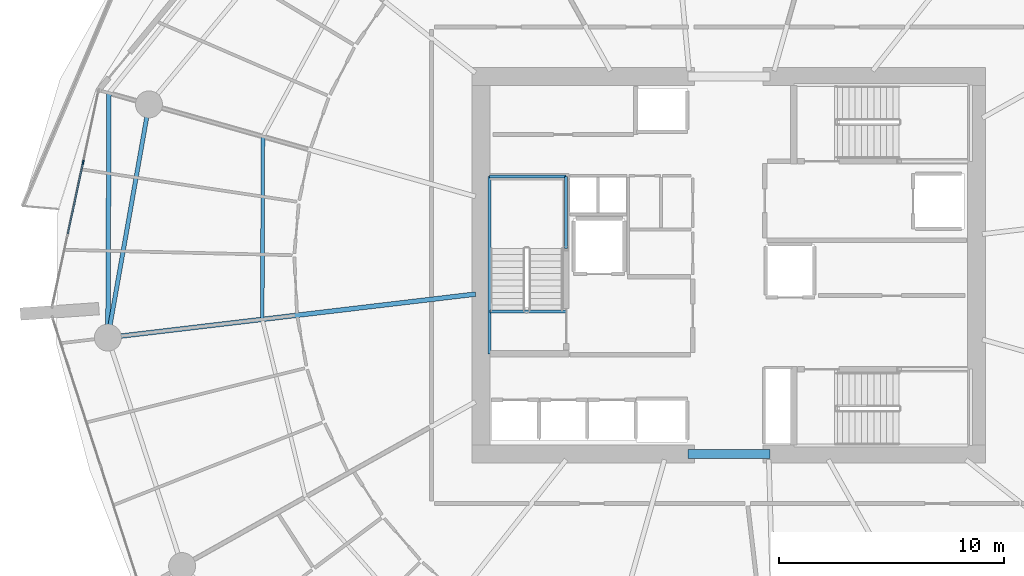
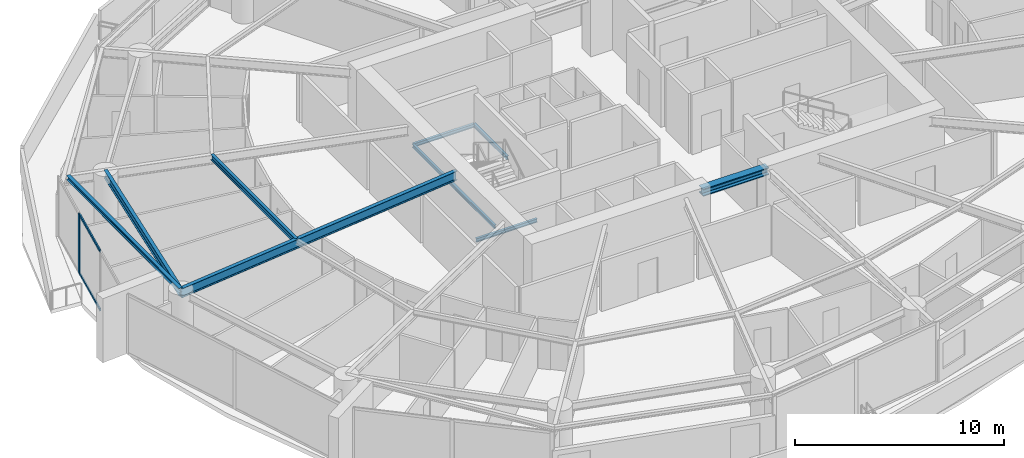
# One storey, part 6 of 23: 9 beams, 3 members, 1 element without a shape of its own.
"""IFC4 building model written with IfcOpenShell, lengths in metres."""

from ifc_helpers import new_model, si_unit, direction, frame, origin, origin_2d, place, context, subcontext, project, spatial, rectangle, i_section, extrude, material, layer, layer_set, material_profile, profile_set, type_object, element, aggregate, save


model = new_model("IFC4")

# Units and contexts
model_context = context("Model", 3, precision=1e-05, world=origin(), true_north=direction((0.0, 1.0)))
body_context = subcontext(model_context, "Body", "Model", "MODEL_VIEW")
ifc_project = project(units=[si_unit("LENGTHUNIT", "METRE"), si_unit("AREAUNIT", "SQUARE_METRE"), si_unit("VOLUMEUNIT", "CUBIC_METRE"), si_unit("PLANEANGLEUNIT", "RADIAN"), si_unit("MASSUNIT", "GRAM", prefix="KILO")], contexts=[model_context])

# Site, building, storey
site_placement = place(None, origin())
site = spatial("IfcSite", under=ifc_project, at=site_placement, CompositionType="ELEMENT")
building_placement = place(site_placement, origin())
building = spatial("IfcBuilding", under=site, at=building_placement, Name="Kazma Halo Residences", CompositionType="ELEMENT")
storey_placement = place(building_placement, frame((0.0, 0.0, 86.39990234375)))
storey = spatial("IfcBuildingStorey", under=building, at=storey_placement, Name="L21", CompositionType="ELEMENT", Elevation=86.39990234375)

# Beams
ifc_material_1 = material(Name="Steel S355", Category="steel")
ifc_material_profile_1 = material_profile(ifc_material_1, i_section(OverallWidth=0.201904296875, OverallDepth=0.2470703125, WebThickness=0.00732421875, FlangeThickness=0.010986328125, FilletRadius=0.011962890625, at=origin_2d()), Name="W250x49.1")
ifc_profile_set_1 = profile_set([ifc_material_profile_1], Name="Steel S355")
beam_type_1 = type_object("IfcBeamType", Name="BM-BAL-CANT", PredefinedType="BEAM", material=ifc_profile_set_1)
beam_1_placement = place(storey_placement, frame((20.8427734375, 49.6591796875, 3.376708984375), z_axis=(-0.004532963616, -0.999989726068, 0.0), x_axis=(0.999989726068, -0.004532963616, 0.0)))
element("IfcBeam", 1, at=beam_1_placement, inside=storey, type_object=beam_type_1, Name="L21 wave-balcony tie beam 07", PredefinedType="BEAM", context=body_context, shape_type="SweptSolid", body=[
    extrude(i_section(OverallWidth=0.201904296875, OverallDepth=0.2470703125, WebThickness=0.00732421875, FlangeThickness=0.010986328125, FilletRadius=0.011962890625, at=origin_2d()), origin(), (0.0, 0.0, 1.0), 10.87939453125),
])
ifc_material_profile_2 = material_profile(ifc_material_1, i_section(OverallWidth=0.408935546875, OverallDepth=0.425048828125, WebThickness=0.03271484375, FlangeThickness=0.052490234375, FilletRadius=0.02001953125, at=origin_2d()), Name="W360x421")
ifc_profile_set_2 = profile_set([ifc_material_profile_2], Name="Steel S355")
beam_type_2 = type_object("IfcBeamType", Name="BM-CORE-W360H", PredefinedType="BEAM", material=ifc_profile_set_2)
beam_2_placement = place(storey_placement, frame((46.60009765625, 33.60009765625, 3.28759765625), z_axis=(1.0, 0.0, 0.0), x_axis=(0.0, 1.0, 0.0)))
element("IfcBeam", 2, at=beam_2_placement, inside=storey, type_object=beam_type_2, Name="L21 core coupling beam S", PredefinedType="BEAM", context=body_context, shape_type="SweptSolid", body=[
    extrude(i_section(OverallWidth=0.408935546875, OverallDepth=0.425048828125, WebThickness=0.03271484375, FlangeThickness=0.052490234375, FilletRadius=0.02001953125, at=origin_2d()), origin(), (0.0, 0.0, 1.0), 3.64990234375),
])
ifc_material_profile_3 = material_profile(ifc_material_1, i_section(OverallWidth=0.208984375, OverallDepth=0.532958984375, WebThickness=0.01025390625, FlangeThickness=0.015625, FilletRadius=0.01611328125, at=origin_2d()), Name="W530x92")
ifc_profile_set_3 = profile_set([ifc_material_profile_3], Name="Steel S355")
beam_type_3 = type_object("IfcBeamType", Name="BM-RAD-W530", PredefinedType="BEAM", material=ifc_profile_set_3)
beam_3_placement = place(storey_placement, frame((37.14990234375, 40.7158203125, 3.233642578125), z_axis=(-0.99306759037, -0.117544718963, 0.0), x_axis=(0.117544718963, -0.99306759037, 0.0)))
element("IfcBeam", 3, at=beam_3_placement, inside=storey, type_object=beam_type_3, Name="L21 radial floor beam 08", PredefinedType="BEAM", context=body_context, shape_type="SweptSolid", body=[
    extrude(i_section(OverallWidth=0.208984375, OverallDepth=0.532958984375, WebThickness=0.01025390625, FlangeThickness=0.015625, FilletRadius=0.01611328125, at=origin_2d()), origin(), (0.0, 0.0, 1.0), 16.470703125),
])
ifc_material_profile_4 = material_profile(ifc_material_1, i_section(OverallWidth=0.1650390625, OverallDepth=0.31005859375, WebThickness=0.005859375, FlangeThickness=0.009765625, FilletRadius=0.011962890625, at=origin_2d()), Name="W310x38.7")
ifc_profile_set_4 = profile_set([ifc_material_profile_4], Name="Steel S355")
beam_type_4 = type_object("IfcBeamType", Name="BM-SEC-W310B", PredefinedType="JOIST", material=ifc_profile_set_4)
beam_4_placement = place(storey_placement, frame((27.69189453125, 47.7275390625, 3.34521484375), z_axis=(-0.003541500645, -0.999993728867, 0.0), x_axis=(0.999993728867, -0.003541500645, 0.0)))
element("IfcBeam", 4, at=beam_4_placement, inside=storey, type_object=beam_type_4, Name="L21 circumferential floor joist 07", PredefinedType="JOIST", context=body_context, shape_type="SweptSolid", body=[
    extrude(i_section(OverallWidth=0.1650390625, OverallDepth=0.31005859375, WebThickness=0.005859375, FlangeThickness=0.009765625, FilletRadius=0.011962890625, at=origin_2d()), origin(), (0.0, 0.0, 1.0), 8.134521484375),
])
ifc_material_profile_5 = material_profile(ifc_material_1, i_section(OverallWidth=0.18994140625, OverallDepth=0.45703125, WebThickness=0.009033203125, FlangeThickness=0.014404296875, FilletRadius=0.01611328125, at=origin_2d()), Name="W460x74")
ifc_profile_set_5 = profile_set([ifc_material_profile_5], Name="Steel S355")
beam_type_5 = type_object("IfcBeamType", Name="BM-SPN-W460", PredefinedType="BEAM", material=ifc_profile_set_5)
beam_5_placement = place(storey_placement, frame((22.623291015625, 49.156982421875, 3.271484375), z_axis=(-0.173653159051, -0.984806874647, 0.0), x_axis=(0.984806874647, -0.173653159051, 0.0)))
element("IfcBeam", 5, at=beam_5_placement, inside=storey, type_object=beam_type_5, Name="L21 perimeter ring beam 07", PredefinedType="BEAM", context=body_context, shape_type="SweptSolid", body=[
    extrude(i_section(OverallWidth=0.18994140625, OverallDepth=0.45703125, WebThickness=0.009033203125, FlangeThickness=0.014404296875, FilletRadius=0.01611328125, at=origin_2d()), origin(), (0.0, 0.0, 1.0), 10.537353515625),
])
ifc_material_profile_6 = material_profile(ifc_material_1, i_section(OverallWidth=0.133056640625, OverallDepth=0.20703125, WebThickness=0.005859375, FlangeThickness=0.00830078125, FilletRadius=0.010009765625, at=origin_2d()), Name="W200x26.6")
ifc_profile_set_6 = profile_set([ifc_material_profile_6], Name="Steel S355")
beam_type_6 = type_object("IfcBeamType", Name="BM-TRIM-W200", PredefinedType="BEAM", material=ifc_profile_set_6)
beam_6_placement = place(storey_placement, frame((37.800048828125, 39.949951171875, -0.35986328125), z_axis=(1.0, 0.0, 0.0), x_axis=(0.0, 1.0, 0.0)))
element("IfcBeam", 6, at=beam_6_placement, inside=storey, type_object=beam_type_6, Name="L21 ST-01 floor landing support beam", PredefinedType="BEAM", context=body_context, shape_type="SweptSolid", body=[
    extrude(i_section(OverallWidth=0.133056640625, OverallDepth=0.20703125, WebThickness=0.005859375, FlangeThickness=0.00830078125, FilletRadius=0.010009765625, at=origin_2d()), origin(), (0.0, 0.0, 1.0), 3.3798828125),
])
beam_7_placement = place(storey_placement, frame((37.780029296875, 38.06005859375, 1.570068359375), z_axis=(0.0, 1.0, 0.0), x_axis=(-1.0, 0.0, 0.0)))
element("IfcBeam", 7, at=beam_7_placement, inside=storey, type_object=beam_type_6, Name="L21 ST-01 landing west wall ledger", PredefinedType="BEAM", context=body_context, shape_type="SweptSolid", body=[
    extrude(i_section(OverallWidth=0.133056640625, OverallDepth=0.20703125, WebThickness=0.005859375, FlangeThickness=0.00830078125, FilletRadius=0.010009765625, at=origin_2d()), origin(), (0.0, 0.0, 1.0), 7.8798828125),
])
beam_8_placement = place(storey_placement, frame((41.179931640625, 42.75, 1.570068359375), z_axis=(0.0, 1.0, 0.0), x_axis=(-1.0, 0.0, 0.0)))
element("IfcBeam", 8, at=beam_8_placement, inside=storey, type_object=beam_type_6, Name="L21 ST-01 landing east wall ledger", PredefinedType="BEAM", context=body_context, shape_type="SweptSolid", body=[
    extrude(i_section(OverallWidth=0.133056640625, OverallDepth=0.20703125, WebThickness=0.005859375, FlangeThickness=0.00830078125, FilletRadius=0.010009765625, at=origin_2d()), origin(), (0.0, 0.0, 1.0), 3.18994140625),
])
beam_9_placement = place(storey_placement, frame((37.780029296875, 45.93994140625, 1.570068359375), z_axis=(1.0, 0.0, 0.0), x_axis=(0.0, 1.0, 0.0)))
element("IfcBeam", 9, at=beam_9_placement, inside=storey, type_object=beam_type_6, Name="L21 ST-01 landing end wall ledger", PredefinedType="BEAM", context=body_context, shape_type="SweptSolid", body=[
    extrude(i_section(OverallWidth=0.133056640625, OverallDepth=0.20703125, WebThickness=0.005859375, FlangeThickness=0.00830078125, FilletRadius=0.010009765625, at=origin_2d()), origin(), (0.0, 0.0, 1.0), 3.39990234375),
])

# Curtain wall, members
ifc_material_2 = material(Name="Aluminium AW-6063 T6 and Triple-Silver Low-E Glass", Category="aluminium")
ifc_layer = layer(ifc_material_2, 0.199951171875)
ifc_layer_set = layer_set([ifc_layer], Name="Aluminium AW-6063 T6 and Triple-Silver Low-E Glass")
curtain_wall_type = type_object("IfcCurtainWallType", Name="CW-SYS-3", PredefinedType="NOTDEFINED", material=ifc_layer_set)
curtain_wall_placement = place(storey_placement, origin())
curtain_wall = element("IfcCurtainWall", 10, at=curtain_wall_placement, inside=storey, type_object=curtain_wall_type, Name="L21 unitised curtain wall B07", PredefinedType="NOTDEFINED")
ifc_material_3 = material(Name="Aluminium AW-6063 T6", Category="aluminium")
ifc_material_profile_7 = material_profile(ifc_material_3, rectangle(XDim=0.070068359375, YDim=0.199951171875, at=origin_2d()), Name="CWM-70x200")
ifc_profile_set_7 = profile_set([ifc_material_profile_7], Name="Aluminium AW-6063 T6")
member_type_1 = type_object("IfcMemberType", Name="CW-SYS-3-MUL", PredefinedType="MULLION", material=ifc_profile_set_7)
member_1_placement = place(storey_placement, frame((19.69287109375, 46.5791015625, 0.0), z_axis=(0.0, 0.0, 1.0), x_axis=(0.977774176093, -0.209660822677, 0.0)))
member_1 = element("IfcMember", 11, at=member_1_placement, type_object=member_type_1, Name="CWS-3 mullion 2", PredefinedType="MULLION", context=body_context, shape_type="SweptSolid", body=[
    extrude(rectangle(XDim=0.070068359375, YDim=0.199951171875, at=origin_2d()), origin(), (0.0, 0.0, 1.0), 3.5),
])
ifc_material_profile_8 = material_profile(ifc_material_3, rectangle(XDim=0.070068359375, YDim=0.14990234375, at=origin_2d()), Name="CWT-70x150")
ifc_profile_set_8 = profile_set([ifc_material_profile_8], Name="Aluminium AW-6063 T6")
member_type_2 = type_object("IfcMemberType", Name="CW-SYS-3-TRN", PredefinedType="USERDEFINED", material=ifc_profile_set_8)
member_2_placement = place(storey_placement, frame((19.685546875, 46.544921875, 0.03515625), z_axis=(-0.209627675811, -0.977781283076, 0.0), x_axis=(0.977781283076, -0.209627675811, 0.0)))
member_2 = element("IfcMember", 12, at=member_2_placement, type_object=member_type_2, Name="CWS-3 transom 2.1", ObjectType="TRANSOM", PredefinedType="USERDEFINED", context=body_context, shape_type="SweptSolid", body=[
    extrude(rectangle(XDim=0.070068359375, YDim=0.14990234375, at=origin_2d()), origin(), (0.0, 0.0, 1.0), 3.213134765625),
])
member_3_placement = place(storey_placement, frame((19.685546875, 46.544921875, 3.465087890625), z_axis=(-0.209627675811, -0.977781283076, 0.0), x_axis=(0.977781283076, -0.209627675811, 0.0)))
member_3 = element("IfcMember", 13, at=member_3_placement, type_object=member_type_2, Name="CWS-3 transom 2.2", ObjectType="TRANSOM", PredefinedType="USERDEFINED", context=body_context, shape_type="SweptSolid", body=[
    extrude(rectangle(XDim=0.070068359375, YDim=0.14990234375, at=origin_2d()), origin(), (0.0, 0.0, 1.0), 3.213134765625),
])
aggregate(curtain_wall, [member_1, member_2, member_3])

save(model, "model.ifc")
